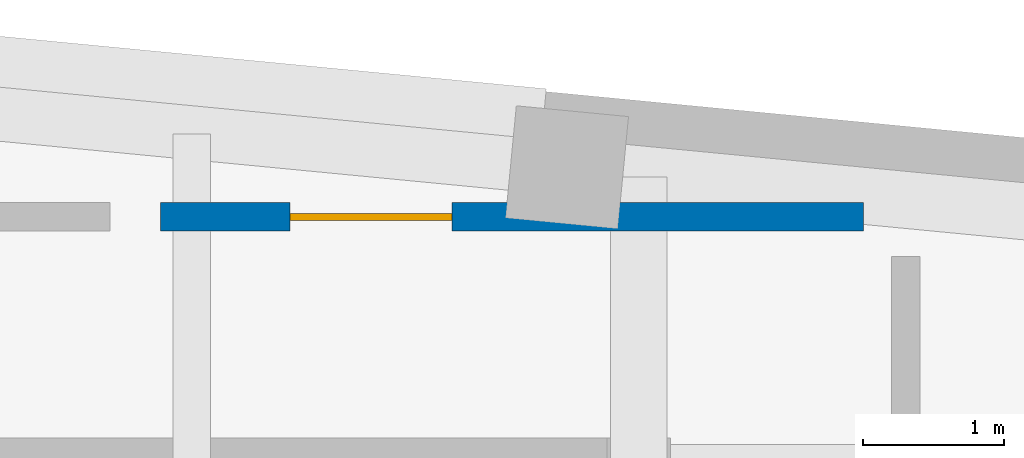
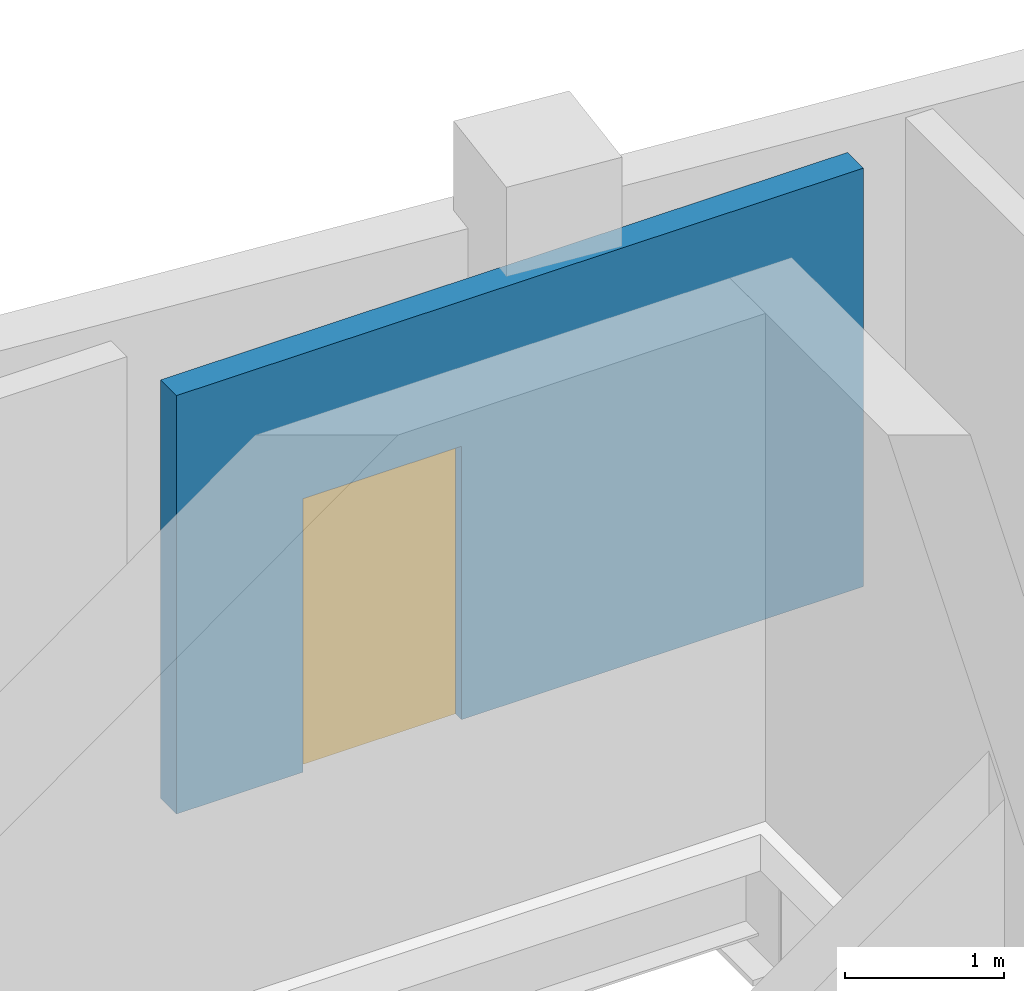
# One storey, part 4 of 5: 1 door, 1 wall, 1 opening.
"""IFC4 building model written with IfcOpenShell, lengths in metres."""

import ifcopenshell
import ifcopenshell.guid

model = None  # the IFC model being written
_history = None  # IfcOwnerHistory: only IFC2X3 demands one
_inside = {}  # id of a spatial element -> (the spatial element, [elements in it])
_under = {}  # id of a project, library or spatial element -> (it, [spatial elements below it])
_declared = {}  # id of a project -> (the project, [libraries it declares])
_typed = {}  # id of a type object -> (the type object, [elements of that type])
_made_of = {}  # id of a material, layer set ... -> (it, [elements and type objects made of it])


def new_model(schema):
    """Start an empty IFC model of exactly this schema.

    Asked for "IFC4X3", IfcOpenShell would pick the latest addendum, in which some entities
    have other attributes; the version numbers below select the first issue.
    IFC2X3 requires an IfcOwnerHistory on every rooted entity: one is made here for all.
    """
    global model, _history
    if schema == "IFC4X3":
        model = ifcopenshell.file(schema_version=(4, 3, 0, 0))
    else:
        model = ifcopenshell.file(schema=schema)
    _inside.clear()
    _under.clear()
    _declared.clear()
    _typed.clear()
    _made_of.clear()
    _history = None
    if model.schema == "IFC2X3":
        org = make("IfcOrganization", Name="unknown")
        user = make(
            "IfcPersonAndOrganization",
            ThePerson=make("IfcPerson", FamilyName="unknown"),
            TheOrganization=org,
        )
        app = make(
            "IfcApplication",
            ApplicationDeveloper=org,
            Version="unknown",
            ApplicationFullName="unknown",
            ApplicationIdentifier="unknown",
        )
        _history = make(
            "IfcOwnerHistory",
            OwningUser=user,
            OwningApplication=app,
            ChangeAction="ADDED",
            CreationDate=0,
        )
    return model


def make(cls, **values):
    """One entity of the class cls with the attributes given. An attribute that is None is left unset."""
    return model.create_entity(
        cls, **{name: value for name, value in values.items() if value is not None}
    )


def rooted(cls, **values):
    """An entity with a GlobalId (a new one), such as an element, a storey or a relation."""
    return make(cls, GlobalId=ifcopenshell.guid.new(), OwnerHistory=_history, **values)


def si_unit(unit_type, name, prefix=None):
    """IfcSIUnit, for example si_unit("LENGTHUNIT", "METRE", prefix="MILLI")."""
    return make("IfcSIUnit", UnitType=unit_type, Prefix=prefix, Name=name)


def assignment(units):
    """IfcUnitAssignment: the units of a project."""
    return None if units is None else make("IfcUnitAssignment", Units=units)


def point(xyz):
    """IfcCartesianPoint."""
    return None if xyz is None else make("IfcCartesianPoint", Coordinates=xyz)


def direction(xyz):
    """IfcDirection."""
    return None if xyz is None else make("IfcDirection", DirectionRatios=xyz)


def frame(location, z_axis=None, x_axis=None):
    """IfcAxis2Placement3D, a coordinate frame: its origin and axes. An axis left out is left unset."""
    return make(
        "IfcAxis2Placement3D",
        Location=point(location),
        Axis=direction(z_axis),
        RefDirection=direction(x_axis),
    )


def frame_2d(location, x_axis=None):
    """IfcAxis2Placement2D, a coordinate frame in the plane: its origin and x axis."""
    return make(
        "IfcAxis2Placement2D", Location=point(location), RefDirection=direction(x_axis)
    )


def origin():
    """The frame at (0, 0, 0) with its axes left unset."""
    return frame((0.0, 0.0, 0.0))


def place(relative_to, where):
    """IfcLocalPlacement: puts the frame where relative to a parent placement (None: the world)."""
    return make(
        "IfcLocalPlacement", PlacementRelTo=relative_to, RelativePlacement=where
    )


def context(
    kind, dimensions, precision=None, world=None, true_north=None, identifier=None
):
    """IfcGeometricRepresentationContext, for example the 3D "Model" context."""
    return make(
        "IfcGeometricRepresentationContext",
        ContextIdentifier=identifier,
        ContextType=kind,
        CoordinateSpaceDimension=dimensions,
        Precision=precision,
        WorldCoordinateSystem=world,
        TrueNorth=true_north,
    )


def subcontext(parent, identifier, kind, view, scale=None):
    """IfcGeometricRepresentationSubContext, for example "Body" below "Model"."""
    return make(
        "IfcGeometricRepresentationSubContext",
        ContextIdentifier=identifier,
        ContextType=kind,
        ParentContext=parent,
        TargetScale=scale,
        TargetView=view,
    )


def project(units=None, contexts=None):
    """IfcProject with its units and contexts."""
    return rooted(
        "IfcProject",
        Name="project",
        RepresentationContexts=contexts,
        UnitsInContext=assignment(units),
    )


def spatial(cls, under=None, at=None, **own):
    """A site, building, storey or space (cls), placed at a placement, below another one or the project."""
    s = rooted(cls, ObjectPlacement=at, **own)
    if under is not None:
        _under.setdefault(under.id(), (under, []))[1].append(s)
    return s


def profile(cls, at=None, kind="AREA", **sizes):
    """A parametric profile (cls). Its sizes go by their IFC names, for example OverallWidth=200.0."""
    return make(cls, ProfileType=kind, Position=at, **sizes)


def rectangle(**sizes):
    """IfcRectangleProfileDef."""
    return profile("IfcRectangleProfileDef", **sizes)


def extrude(swept, where, along, depth):
    """IfcExtrudedAreaSolid: the profile swept, set in the frame where, extruded along a direction by depth."""
    return make(
        "IfcExtrudedAreaSolid",
        SweptArea=swept,
        Position=where,
        ExtrudedDirection=direction(along),
        Depth=depth,
    )


def shape(context_of_items, identifier, shape_type, items):
    """IfcShapeRepresentation: the items that make up one representation, for example the "Body"."""
    return make(
        "IfcShapeRepresentation",
        ContextOfItems=context_of_items,
        RepresentationIdentifier=identifier,
        RepresentationType=shape_type,
        Items=items,
    )


def material(Name=None, Category=None):
    """IfcMaterial."""
    return make("IfcMaterial", Name=Name, Category=Category)


def layer(
    of_material, thickness, ventilated=None, Name=None, Category=None, Priority=None
):
    """IfcMaterialLayer: one layer of a wall or slab, of a material (None: an air gap)."""
    return make(
        "IfcMaterialLayer",
        Material=of_material,
        LayerThickness=thickness,
        IsVentilated=ventilated,
        Name=Name,
        Category=Category,
        Priority=Priority,
    )


def layer_set(layers, Name=None):
    """IfcMaterialLayerSet."""
    return make("IfcMaterialLayerSet", MaterialLayers=layers, LayerSetName=Name)


def made_of(thing, what):
    """Note that an element or type object is made of a material, layer set ...; save() writes the relation."""
    if what is not None:
        _made_of.setdefault(what.id(), (what, []))[1].append(thing)
    return thing


def type_object(cls, material=None, **own):
    """A type object (cls), such as IfcWallType, which elements share."""
    return made_of(rooted(cls, **own), material)


def element(
    cls,
    number,
    at=None,
    inside=None,
    cuts=None,
    type_object=None,
    material=None,
    context=None,
    identifier="Body",
    shape_type=None,
    held_by="IfcProductDefinitionShape",
    body=None,
    shapes=None,
    **own,
):
    """One element of the class cls, such as IfcWall. Its Tag is "e" and its number.

    at: its placement. inside: the storey or other place that contains it. cuts: it is an
    opening in that element (IfcRelVoidsElement). A single representation is given by context,
    identifier, shape_type and body (its items); several are given by shapes. held_by: the class
    of the entity that holds the representations. save() writes the other relations.
    """
    e = rooted(cls, Tag="e%d" % number, ObjectPlacement=at, **own)
    if body is not None:
        shapes = [shape(context, identifier, shape_type, body)]
    if shapes is not None:
        e.Representation = make(held_by, Representations=shapes)
    if inside is not None:
        _inside.setdefault(inside.id(), (inside, []))[1].append(e)
    if cuts is not None:
        rooted(
            "IfcRelVoidsElement", RelatingBuildingElement=cuts, RelatedOpeningElement=e
        )
    if type_object is not None:
        _typed.setdefault(type_object.id(), (type_object, []))[1].append(e)
    return made_of(e, material)


def fill(opening, filler):
    """IfcRelFillsElement: the door or window that sits in an opening."""
    return rooted(
        "IfcRelFillsElement",
        RelatingOpeningElement=opening,
        RelatedBuildingElement=filler,
    )


def aggregate(whole, parts):
    """IfcRelAggregates: a whole, such as a stair, and the parts it consists of."""
    return rooted("IfcRelAggregates", RelatingObject=whole, RelatedObjects=parts)


def save(model, path):
    """Write the relations noted so far, then the file.

    IfcRelAggregates (storeys below a building ...), IfcRelContainedInSpatialStructure (elements
    in a storey), IfcRelDefinesByType, IfcRelAssociatesMaterial and IfcRelDeclares: one each for
    every whole, place, type object, material and project.
    """
    for whole, parts in _under.values():
        aggregate(whole, parts)
    for where, things in _inside.values():
        rooted(
            "IfcRelContainedInSpatialStructure",
            RelatedElements=things,
            RelatingStructure=where,
        )
    for kind, things in _typed.values():
        rooted("IfcRelDefinesByType", RelatedObjects=things, RelatingType=kind)
    for what, things in _made_of.values():
        rooted("IfcRelAssociatesMaterial", RelatedObjects=things, RelatingMaterial=what)
    for by, libraries in _declared.values():
        rooted("IfcRelDeclares", RelatingContext=by, RelatedDefinitions=libraries)
    model.write(path)


model = new_model("IFC4")

# Units and contexts
model_context = context("Model", 3, precision=1e-05, world=origin(), true_north=direction((0.0, 1.0)))
body_context = subcontext(model_context, "Body", "Model", "MODEL_VIEW")
ifc_project = project(units=[si_unit("LENGTHUNIT", "METRE"), si_unit("AREAUNIT", "SQUARE_METRE"), si_unit("VOLUMEUNIT", "CUBIC_METRE"), si_unit("PLANEANGLEUNIT", "RADIAN"), si_unit("MASSUNIT", "GRAM", prefix="KILO")], contexts=[model_context])

# Site, building, storey
site_placement = place(None, origin())
site = spatial("IfcSite", under=ifc_project, at=site_placement, CompositionType="ELEMENT")
building_placement = place(site_placement, origin())
building = spatial("IfcBuilding", under=site, at=building_placement, Name="Qhalaya Broadcast Tower", CompositionType="ELEMENT")
storey_placement = place(building_placement, frame((0.0, 0.0, 292.85009765625)))
storey = spatial("IfcBuildingStorey", under=building, at=storey_placement, Name="L86", CompositionType="ELEMENT", Elevation=292.85009765625)

# Wall, opening, door
ifc_material_1 = material(Name="Gypsum Acoustic Partition")
ifc_layer = layer(ifc_material_1, 0.199951171875, Name="Gypsum Acoustic Partition")
ifc_layer_set = layer_set([ifc_layer], Name="Gypsum Acoustic Partition")
wall_type = type_object("IfcWallType", Name="Firefighting Lobby & Stair Enclosure Wall 200", PredefinedType="PARTITIONING", material=ifc_layer_set)
wall_placement = place(storey_placement, frame((10.969970703125, 11.77001953125, 0.0), z_axis=(0.0, 0.0, 1.0), x_axis=(-1.0, 0.0, 0.0)))
wall = element("IfcWall", 1, at=wall_placement, inside=storey, type_object=wall_type, Name="L86 Partition Wall W-PCN3", PredefinedType="PARTITIONING", context=body_context, shape_type="SweptSolid", body=[
    extrude(rectangle(XDim=4.989990234375, YDim=0.199951171875, at=frame_2d((2.4951171875, 0.0))), origin(), (0.0, 0.0, 1.0), 3.2138671875),
])
opening_placement = place(wall_placement, frame((2.919921875, 0.0, 0.0)))
opening = element("IfcOpeningElement", 2, at=opening_placement, cuts=wall, Name="Opening D05", PredefinedType="OPENING", context=body_context, shape_type="SweptSolid", body=[
    extrude(rectangle(XDim=1.14990234375, YDim=2.10009765625, at=frame_2d((0.574951171875, 1.050048828125))), frame((0.0, 0.112060546875, 0.0), z_axis=(0.0, -1.0, 0.0), x_axis=(1.0, 0.0, 0.0)), (0.0, 0.0, 1.0), 0.223876953125),
])
ifc_material_2 = material(Name="Fire-Rated Steel Door", Category="steel")
door_type = type_object("IfcDoorType", Name="Refuge & Plant Room Fire Door D05", OperationType="NOTDEFINED", PredefinedType="DOOR", material=ifc_material_2)
door_placement = place(opening_placement, origin())
door = element("IfcDoor", 3, at=door_placement, inside=storey, type_object=door_type, Name="L86 Door D-PCN3", OperationType="SINGLE_SWING_LEFT", OverallHeight=2.10009765625, OverallWidth=1.14990234375, PredefinedType="DOOR", context=body_context, shape_type="SweptSolid", body=[
    extrude(rectangle(XDim=1.14990234375, YDim=2.10009765625, at=frame_2d((0.574951171875, 1.050048828125))), frame((0.0, 0.02490234375, 0.0), z_axis=(0.0, -1.0, 0.0), x_axis=(1.0, 0.0, 0.0)), (0.0, 0.0, 1.0), 0.050048828125),
])
fill(opening, door)

save(model, "model.ifc")
